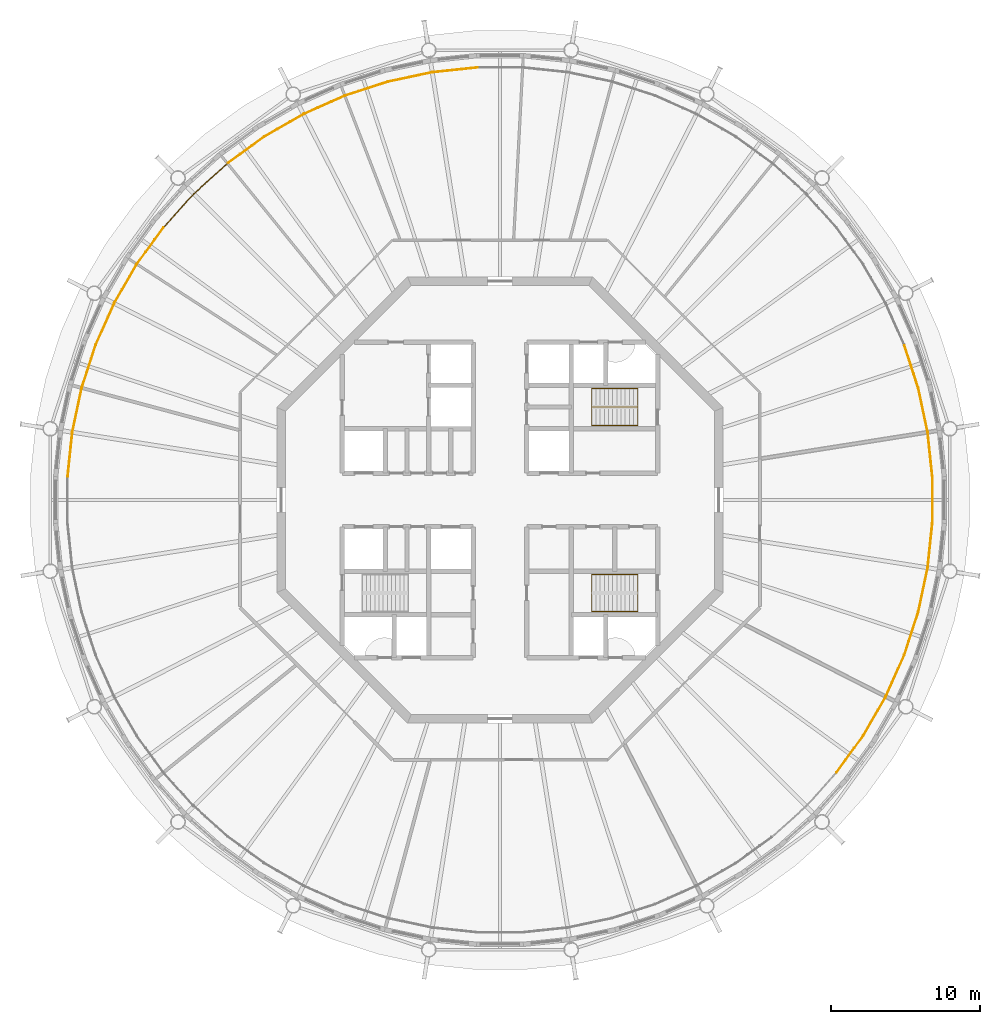
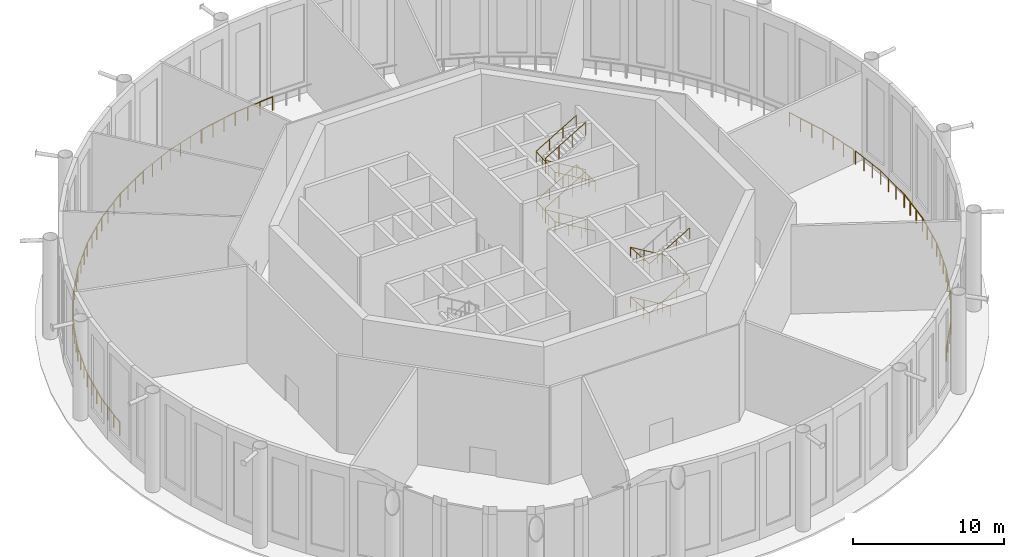
# One storey, part 16 of 17: 15 railings.
"""IFC4 building model written with IfcOpenShell, lengths in metres."""

from ifc_helpers import new_model, si_unit, direction, frame, origin, origin_2d, place, context, subcontext, project, spatial, circle, extrude, material, type_object, element, save


model = new_model("IFC4")

# Units and contexts
model_context = context("Model", 3, precision=1e-05, world=origin(), true_north=direction((0.0, 1.0)))
body_context = subcontext(model_context, "Body", "Model", "MODEL_VIEW")
ifc_project = project(units=[si_unit("LENGTHUNIT", "METRE"), si_unit("AREAUNIT", "SQUARE_METRE"), si_unit("VOLUMEUNIT", "CUBIC_METRE"), si_unit("PLANEANGLEUNIT", "RADIAN"), si_unit("MASSUNIT", "GRAM", prefix="KILO")], contexts=[model_context])

# Site, building, storey
site_placement = place(None, origin())
site = spatial("IfcSite", under=ifc_project, at=site_placement, CompositionType="ELEMENT")
building_placement = place(site_placement, origin())
building = spatial("IfcBuilding", under=site, at=building_placement, Name="Entoto Ring Tower", CompositionType="ELEMENT")
storey_placement = place(building_placement, frame((0.0, 0.0, 407.0)))
storey = spatial("IfcBuildingStorey", under=building, at=storey_placement, Name="L93", CompositionType="ELEMENT", Elevation=407.0)

# Railings
ifc_material_1 = material(Name="Stainless steel 316", Category="steel")
railing_type_1 = type_object("IfcRailingType", Name="Guard 1100 mm steel balustrade, observation floor", PredefinedType="GUARDRAIL", material=ifc_material_1)
railing_1_placement = place(storey_placement, frame((118.74169921875, 84.55224609375, 0.0)))
element("IfcRailing", 1, at=railing_1_placement, inside=storey, type_object=railing_type_1, Name="OBSERVATION FLOOR GUARD 1", PredefinedType="GUARDRAIL", context=body_context, shape_type="SweptSolid", body=[
    extrude(circle(Radius=0.02490234375, at=origin_2d()), frame((0.0, 0.0, 1.0751953125), z_axis=(-0.207908602045, 0.978148257268, 0.0), x_axis=(-0.978148257268, -0.207908602045, 0.0)), (0.0, 0.0, 1.0), 3.046142578125),
    extrude(circle(Radius=0.02490234375, at=origin_2d()), frame((-0.63330078125, 2.9794921875, 1.0751953125), z_axis=(-0.309006566809, 0.951059904354, 0.0), x_axis=(-0.951059904354, -0.309006566809, 0.0)), (0.0, 0.0, 1.0), 2.98583984375),
    extrude(circle(Radius=0.02490234375, at=origin_2d()), origin(), (0.0, 0.0, 1.0), 1.050048828125),
    extrude(circle(Radius=0.02490234375, at=origin_2d()), frame((-0.211181640625, 0.9931640625, 0.0)), (0.0, 0.0, 1.0), 1.050048828125),
    extrude(circle(Radius=0.02490234375, at=origin_2d()), frame((-0.422119140625, 1.986328125, 0.0)), (0.0, 0.0, 1.0), 1.050048828125),
    extrude(circle(Radius=0.02490234375, at=origin_2d()), frame((-0.63330078125, 2.9794921875, 0.0)), (0.0, 0.0, 1.0), 1.050048828125),
    extrude(circle(Radius=0.02490234375, at=origin_2d()), frame((-0.94091796875, 3.926025390625, 0.0)), (0.0, 0.0, 1.0), 1.050048828125),
    extrude(circle(Radius=0.02490234375, at=origin_2d()), frame((-1.248291015625, 4.87255859375, 0.0)), (0.0, 0.0, 1.0), 1.050048828125),
    extrude(circle(Radius=0.02490234375, at=origin_2d()), frame((-1.555908203125, 5.819091796875, 0.0)), (0.0, 0.0, 1.0), 1.050048828125),
])
railing_2_placement = place(storey_placement, frame((88.47705078125, 109.06005859375, 0.0)))
element("IfcRailing", 2, at=railing_2_placement, inside=storey, type_object=railing_type_1, Name="OBSERVATION FLOOR GUARD 8", PredefinedType="GUARDRAIL", context=body_context, shape_type="SweptSolid", body=[
    extrude(circle(Radius=0.02490234375, at=origin_2d()), frame((0.0, 0.0, 1.0751953125), z_axis=(-0.994523006427, -0.104517891713, 0.0), x_axis=(0.104517891713, -0.994523006427, 0.0)), (0.0, 0.0, 1.0), 3.0458984375),
    extrude(circle(Radius=0.02490234375, at=origin_2d()), frame((-3.029296875, -0.318359375, 1.0751953125), z_axis=(-0.978144510222, -0.20792623, 0.0), x_axis=(0.20792623, -0.978144510222, 0.0)), (0.0, 0.0, 1.0), 2.98583984375),
    extrude(circle(Radius=0.02490234375, at=origin_2d()), origin(), (0.0, 0.0, 1.0), 1.050048828125),
    extrude(circle(Radius=0.02490234375, at=origin_2d()), frame((-1.009765625, -0.106201171875, 0.0)), (0.0, 0.0, 1.0), 1.050048828125),
    extrude(circle(Radius=0.02490234375, at=origin_2d()), frame((-2.01953125, -0.212158203125, 0.0)), (0.0, 0.0, 1.0), 1.050048828125),
    extrude(circle(Radius=0.02490234375, at=origin_2d()), frame((-3.029296875, -0.318359375, 0.0)), (0.0, 0.0, 1.0), 1.050048828125),
    extrude(circle(Radius=0.02490234375, at=origin_2d()), frame((-4.0029296875, -0.525390625, 0.0)), (0.0, 0.0, 1.0), 1.050048828125),
    extrude(circle(Radius=0.02490234375, at=origin_2d()), frame((-4.976318359375, -0.732177734375, 0.0)), (0.0, 0.0, 1.0), 1.050048828125),
    extrude(circle(Radius=0.02490234375, at=origin_2d()), frame((-5.949951171875, -0.939208984375, 0.0)), (0.0, 0.0, 1.0), 1.050048828125),
])
railing_3_placement = place(storey_placement, frame((82.46826171875, 108.1083984375, 0.0)))
element("IfcRailing", 3, at=railing_3_placement, inside=storey, type_object=railing_type_1, Name="OBSERVATION FLOOR GUARD 9", PredefinedType="GUARDRAIL", context=body_context, shape_type="SweptSolid", body=[
    extrude(circle(Radius=0.02490234375, at=origin_2d()), frame((0.0, 0.0, 1.0751953125), z_axis=(-0.951060572715, -0.309004509719, 0.0), x_axis=(0.309004509719, -0.951060572715, 0.0)), (0.0, 0.0, 1.0), 3.0458984375),
    extrude(circle(Radius=0.02490234375, at=origin_2d()), frame((-2.896728515625, -0.941162109375, 1.0751953125), z_axis=(-0.913531485068, -0.406768024542, 0.0), x_axis=(0.406768024542, -0.913531485068, 0.0)), (0.0, 0.0, 1.0), 2.986083984375),
    extrude(circle(Radius=0.02490234375, at=origin_2d()), origin(), (0.0, 0.0, 1.0), 1.050048828125),
    extrude(circle(Radius=0.02490234375, at=origin_2d()), frame((-0.965576171875, -0.313720703125, 0.0)), (0.0, 0.0, 1.0), 1.050048828125),
    extrude(circle(Radius=0.02490234375, at=origin_2d()), frame((-1.93115234375, -0.62744140625, 0.0)), (0.0, 0.0, 1.0), 1.050048828125),
    extrude(circle(Radius=0.02490234375, at=origin_2d()), frame((-2.896728515625, -0.941162109375, 0.0)), (0.0, 0.0, 1.0), 1.050048828125),
    extrude(circle(Radius=0.02490234375, at=origin_2d()), frame((-3.805908203125, -1.345947265625, 0.0)), (0.0, 0.0, 1.0), 1.050048828125),
    extrude(circle(Radius=0.02490234375, at=origin_2d()), frame((-4.71533203125, -1.7509765625, 0.0)), (0.0, 0.0, 1.0), 1.050048828125),
    extrude(circle(Radius=0.02490234375, at=origin_2d()), frame((-5.62451171875, -2.15576171875, 0.0)), (0.0, 0.0, 1.0), 1.050048828125),
])
railing_4_placement = place(storey_placement, frame((76.788818359375, 105.92822265625, 0.0)))
element("IfcRailing", 4, at=railing_4_placement, inside=storey, type_object=railing_type_1, Name="OBSERVATION FLOOR GUARD 10", PredefinedType="GUARDRAIL", context=body_context, shape_type="SweptSolid", body=[
    extrude(circle(Radius=0.02490234375, at=origin_2d()), frame((0.0, 0.0, 1.0751953125), z_axis=(-0.866014723935, -0.500018497585, 0.0), x_axis=(0.500018497585, -0.866014723935, 0.0)), (0.0, 0.0, 1.0), 3.0458984375),
    extrude(circle(Radius=0.02490234375, at=origin_2d()), frame((-2.6376953125, -1.52294921875, 1.0751953125), z_axis=(-0.809022371949, -0.587777850626, 0.0), x_axis=(0.587777850626, -0.809022371949, 0.0)), (0.0, 0.0, 1.0), 2.986083984375),
    extrude(circle(Radius=0.02490234375, at=origin_2d()), origin(), (0.0, 0.0, 1.0), 1.050048828125),
    extrude(circle(Radius=0.02490234375, at=origin_2d()), frame((-0.879150390625, -0.507568359375, 0.0)), (0.0, 0.0, 1.0), 1.050048828125),
    extrude(circle(Radius=0.02490234375, at=origin_2d()), frame((-1.758544921875, -1.015380859375, 0.0)), (0.0, 0.0, 1.0), 1.050048828125),
    extrude(circle(Radius=0.02490234375, at=origin_2d()), frame((-2.6376953125, -1.52294921875, 0.0)), (0.0, 0.0, 1.0), 1.050048828125),
    extrude(circle(Radius=0.02490234375, at=origin_2d()), frame((-3.44287109375, -2.10791015625, 0.0)), (0.0, 0.0, 1.0), 1.050048828125),
    extrude(circle(Radius=0.02490234375, at=origin_2d()), frame((-4.248291015625, -2.693115234375, 0.0)), (0.0, 0.0, 1.0), 1.050048828125),
    extrude(circle(Radius=0.02490234375, at=origin_2d()), frame((-5.053466796875, -3.278076171875, 0.0)), (0.0, 0.0, 1.0), 1.050048828125),
])
railing_5_placement = place(storey_placement, frame((71.686767578125, 102.614990234375, 0.0)))
element("IfcRailing", 5, at=railing_5_placement, inside=storey, type_object=railing_type_1, Name="OBSERVATION FLOOR GUARD 11", PredefinedType="GUARDRAIL", context=body_context, shape_type="SweptSolid", body=[
    extrude(circle(Radius=0.02490234375, at=origin_2d()), frame((0.0, 0.0, 1.0751953125), z_axis=(-0.743166598537, -0.669106424135, 0.0), x_axis=(0.669106424135, -0.743166598537, 0.0)), (0.0, 0.0, 1.0), 3.0458984375),
    extrude(circle(Radius=0.02490234375, at=origin_2d()), frame((-2.263671875, -2.0380859375, 1.0751953125), z_axis=(-0.669095728421, -0.743176228232, 0.0), x_axis=(0.743176228232, -0.669095728421, 0.0)), (0.0, 0.0, 1.0), 2.98583984375),
    extrude(circle(Radius=0.02490234375, at=origin_2d()), origin(), (0.0, 0.0, 1.0), 1.050048828125),
    extrude(circle(Radius=0.02490234375, at=origin_2d()), frame((-0.754638671875, -0.679443359375, 0.0)), (0.0, 0.0, 1.0), 1.050048828125),
    extrude(circle(Radius=0.02490234375, at=origin_2d()), frame((-1.509033203125, -1.358642578125, 0.0)), (0.0, 0.0, 1.0), 1.050048828125),
    extrude(circle(Radius=0.02490234375, at=origin_2d()), frame((-2.263671875, -2.0380859375, 0.0)), (0.0, 0.0, 1.0), 1.050048828125),
    extrude(circle(Radius=0.02490234375, at=origin_2d()), frame((-2.9296875, -2.77783203125, 0.0)), (0.0, 0.0, 1.0), 1.050048828125),
    extrude(circle(Radius=0.02490234375, at=origin_2d()), frame((-3.595458984375, -3.517333984375, 0.0)), (0.0, 0.0, 1.0), 1.050048828125),
    extrude(circle(Radius=0.02490234375, at=origin_2d()), frame((-4.261474609375, -4.257080078125, 0.0)), (0.0, 0.0, 1.0), 1.050048828125),
])
railing_6_placement = place(storey_placement, frame((67.385009765625, 98.313232421875, 0.0)))
element("IfcRailing", 6, at=railing_6_placement, inside=storey, type_object=railing_type_1, Name="OBSERVATION FLOOR GUARD 12", PredefinedType="GUARDRAIL", context=body_context, shape_type="SweptSolid", body=[
    extrude(circle(Radius=0.02490234375, at=origin_2d()), frame((0.0, 0.0, 1.0751953125), z_axis=(-0.587747466225, -0.809044446212, 0.0), x_axis=(0.809044446212, -0.587747466225, 0.0)), (0.0, 0.0, 1.0), 3.0458984375),
    extrude(circle(Radius=0.02490234375, at=origin_2d()), frame((-1.790283203125, -2.46435546875, 1.0751953125), z_axis=(-0.500017373705, -0.866015372839, 0.0), x_axis=(0.866015372839, -0.500017373705, 0.0)), (0.0, 0.0, 1.0), 2.98583984375),
    extrude(circle(Radius=0.02490234375, at=origin_2d()), origin(), (0.0, 0.0, 1.0), 1.050048828125),
    extrude(circle(Radius=0.02490234375, at=origin_2d()), frame((-0.5966796875, -0.821533203125, 0.0)), (0.0, 0.0, 1.0), 1.050048828125),
    extrude(circle(Radius=0.02490234375, at=origin_2d()), frame((-1.193603515625, -1.642822265625, 0.0)), (0.0, 0.0, 1.0), 1.050048828125),
    extrude(circle(Radius=0.02490234375, at=origin_2d()), frame((-1.790283203125, -2.46435546875, 0.0)), (0.0, 0.0, 1.0), 1.050048828125),
    extrude(circle(Radius=0.02490234375, at=origin_2d()), frame((-2.287841796875, -3.326171875, 0.0)), (0.0, 0.0, 1.0), 1.050048828125),
    extrude(circle(Radius=0.02490234375, at=origin_2d()), frame((-2.78564453125, -4.188232421875, 0.0)), (0.0, 0.0, 1.0), 1.050048828125),
    extrude(circle(Radius=0.02490234375, at=origin_2d()), frame((-3.283203125, -5.050048828125, 0.0)), (0.0, 0.0, 1.0), 1.050048828125),
])
railing_7_placement = place(storey_placement, frame((64.07177734375, 93.211181640625, 0.0)))
element("IfcRailing", 7, at=railing_7_placement, inside=storey, type_object=railing_type_1, Name="OBSERVATION FLOOR GUARD 13", PredefinedType="GUARDRAIL", context=body_context, shape_type="SweptSolid", body=[
    extrude(circle(Radius=0.02490234375, at=origin_2d()), frame((0.0, 0.0, 1.0751953125), z_axis=(-0.406755602467, -0.913537016142, 0.0), x_axis=(0.913537016142, -0.406755602467, 0.0)), (0.0, 0.0, 1.0), 3.046142578125),
    extrude(circle(Radius=0.02490234375, at=origin_2d()), frame((-1.239013671875, -2.78271484375, 1.0751953125), z_axis=(-0.30898253788, -0.951067711199, 0.0), x_axis=(0.951067711199, -0.30898253788, 0.0)), (0.0, 0.0, 1.0), 2.98583984375),
    extrude(circle(Radius=0.02490234375, at=origin_2d()), origin(), (0.0, 0.0, 1.0), 1.050048828125),
    extrude(circle(Radius=0.02490234375, at=origin_2d()), frame((-0.4130859375, -0.927490234375, 0.0)), (0.0, 0.0, 1.0), 1.050048828125),
    extrude(circle(Radius=0.02490234375, at=origin_2d()), frame((-0.825927734375, -1.855224609375, 0.0)), (0.0, 0.0, 1.0), 1.050048828125),
    extrude(circle(Radius=0.02490234375, at=origin_2d()), frame((-1.239013671875, -2.78271484375, 0.0)), (0.0, 0.0, 1.0), 1.050048828125),
    extrude(circle(Radius=0.02490234375, at=origin_2d()), frame((-1.546630859375, -3.729248046875, 0.0)), (0.0, 0.0, 1.0), 1.050048828125),
    extrude(circle(Radius=0.02490234375, at=origin_2d()), frame((-1.85400390625, -4.676025390625, 0.0)), (0.0, 0.0, 1.0), 1.050048828125),
    extrude(circle(Radius=0.02490234375, at=origin_2d()), frame((-2.16162109375, -5.62255859375, 0.0)), (0.0, 0.0, 1.0), 1.050048828125),
])
railing_8_placement = place(storey_placement, frame((61.8916015625, 87.53173828125, 0.0)))
element("IfcRailing", 8, at=railing_8_placement, inside=storey, type_object=railing_type_1, Name="OBSERVATION FLOOR GUARD 14", PredefinedType="GUARDRAIL", context=body_context, shape_type="SweptSolid", body=[
    extrude(circle(Radius=0.02490234375, at=origin_2d()), frame((0.0, 0.0, 1.0751953125), z_axis=(-0.207908602045, -0.978148257268, 0.0), x_axis=(0.978148257268, -0.207908602045, 0.0)), (0.0, 0.0, 1.0), 3.046142578125),
    extrude(circle(Radius=0.02490234375, at=origin_2d()), frame((-0.63330078125, -2.9794921875, 1.0751953125), z_axis=(-0.104578376454, -0.994516648015, 0.0), x_axis=(0.994516648015, -0.104578376454, 0.0)), (0.0, 0.0, 1.0), 2.98583984375),
    extrude(circle(Radius=0.02490234375, at=origin_2d()), origin(), (0.0, 0.0, 1.0), 1.050048828125),
    extrude(circle(Radius=0.02490234375, at=origin_2d()), frame((-0.211181640625, -0.9931640625, 0.0)), (0.0, 0.0, 1.0), 1.050048828125),
    extrude(circle(Radius=0.02490234375, at=origin_2d()), frame((-0.422119140625, -1.986328125, 0.0)), (0.0, 0.0, 1.0), 1.050048828125),
    extrude(circle(Radius=0.02490234375, at=origin_2d()), frame((-0.63330078125, -2.9794921875, 0.0)), (0.0, 0.0, 1.0), 1.050048828125),
    extrude(circle(Radius=0.02490234375, at=origin_2d()), frame((-0.7373046875, -3.96923828125, 0.0)), (0.0, 0.0, 1.0), 1.050048828125),
    extrude(circle(Radius=0.02490234375, at=origin_2d()), frame((-0.841552734375, -4.959228515625, 0.0)), (0.0, 0.0, 1.0), 1.050048828125),
    extrude(circle(Radius=0.02490234375, at=origin_2d()), frame((-0.945556640625, -5.948974609375, 0.0)), (0.0, 0.0, 1.0), 1.050048828125),
])
railing_9_placement = place(storey_placement, frame((112.614990234375, 61.686767578125, 0.0)))
element("IfcRailing", 9, at=railing_9_placement, inside=storey, type_object=railing_type_1, Name="OBSERVATION FLOOR GUARD 27", PredefinedType="GUARDRAIL", context=body_context, shape_type="SweptSolid", body=[
    extrude(circle(Radius=0.02490234375, at=origin_2d()), frame((0.0, 0.0, 1.0751953125), z_axis=(0.587747466225, 0.809044446212, 0.0), x_axis=(-0.809044446212, 0.587747466225, 0.0)), (0.0, 0.0, 1.0), 3.0458984375),
    extrude(circle(Radius=0.02490234375, at=origin_2d()), frame((1.790283203125, 2.46435546875, 1.0751953125), z_axis=(0.500017373705, 0.866015372839, 0.0), x_axis=(-0.866015372839, 0.500017373705, 0.0)), (0.0, 0.0, 1.0), 2.98583984375),
    extrude(circle(Radius=0.02490234375, at=origin_2d()), origin(), (0.0, 0.0, 1.0), 1.050048828125),
    extrude(circle(Radius=0.02490234375, at=origin_2d()), frame((0.5966796875, 0.821533203125, 0.0)), (0.0, 0.0, 1.0), 1.050048828125),
    extrude(circle(Radius=0.02490234375, at=origin_2d()), frame((1.193603515625, 1.642822265625, 0.0)), (0.0, 0.0, 1.0), 1.050048828125),
    extrude(circle(Radius=0.02490234375, at=origin_2d()), frame((1.790283203125, 2.46435546875, 0.0)), (0.0, 0.0, 1.0), 1.050048828125),
    extrude(circle(Radius=0.02490234375, at=origin_2d()), frame((2.287841796875, 3.326171875, 0.0)), (0.0, 0.0, 1.0), 1.050048828125),
    extrude(circle(Radius=0.02490234375, at=origin_2d()), frame((2.78564453125, 4.188232421875, 0.0)), (0.0, 0.0, 1.0), 1.050048828125),
    extrude(circle(Radius=0.02490234375, at=origin_2d()), frame((3.283203125, 5.050048828125, 0.0)), (0.0, 0.0, 1.0), 1.050048828125),
])
railing_10_placement = place(storey_placement, frame((115.92822265625, 66.788818359375, 0.0)))
element("IfcRailing", 10, at=railing_10_placement, inside=storey, type_object=railing_type_1, Name="OBSERVATION FLOOR GUARD 28", PredefinedType="GUARDRAIL", context=body_context, shape_type="SweptSolid", body=[
    extrude(circle(Radius=0.02490234375, at=origin_2d()), frame((0.0, 0.0, 1.0751953125), z_axis=(0.406755602467, 0.913537016142, 0.0), x_axis=(-0.913537016142, 0.406755602467, 0.0)), (0.0, 0.0, 1.0), 3.046142578125),
    extrude(circle(Radius=0.02490234375, at=origin_2d()), frame((1.239013671875, 2.78271484375, 1.0751953125), z_axis=(0.30898253788, 0.951067711199, 0.0), x_axis=(-0.951067711199, 0.30898253788, 0.0)), (0.0, 0.0, 1.0), 2.98583984375),
    extrude(circle(Radius=0.02490234375, at=origin_2d()), origin(), (0.0, 0.0, 1.0), 1.050048828125),
    extrude(circle(Radius=0.02490234375, at=origin_2d()), frame((0.4130859375, 0.927490234375, 0.0)), (0.0, 0.0, 1.0), 1.050048828125),
    extrude(circle(Radius=0.02490234375, at=origin_2d()), frame((0.825927734375, 1.855224609375, 0.0)), (0.0, 0.0, 1.0), 1.050048828125),
    extrude(circle(Radius=0.02490234375, at=origin_2d()), frame((1.239013671875, 2.78271484375, 0.0)), (0.0, 0.0, 1.0), 1.050048828125),
    extrude(circle(Radius=0.02490234375, at=origin_2d()), frame((1.546630859375, 3.729248046875, 0.0)), (0.0, 0.0, 1.0), 1.050048828125),
    extrude(circle(Radius=0.02490234375, at=origin_2d()), frame((1.85400390625, 4.676025390625, 0.0)), (0.0, 0.0, 1.0), 1.050048828125),
    extrude(circle(Radius=0.02490234375, at=origin_2d()), frame((2.16162109375, 5.62255859375, 0.0)), (0.0, 0.0, 1.0), 1.050048828125),
])
railing_11_placement = place(storey_placement, frame((118.1083984375, 72.46826171875, 0.0)))
element("IfcRailing", 11, at=railing_11_placement, inside=storey, type_object=railing_type_1, Name="OBSERVATION FLOOR GUARD 29", PredefinedType="GUARDRAIL", context=body_context, shape_type="SweptSolid", body=[
    extrude(circle(Radius=0.02490234375, at=origin_2d()), frame((0.0, 0.0, 1.0751953125), z_axis=(0.207908602045, 0.978148257268, 0.0), x_axis=(-0.978148257268, 0.207908602045, 0.0)), (0.0, 0.0, 1.0), 3.046142578125),
    extrude(circle(Radius=0.02490234375, at=origin_2d()), frame((0.63330078125, 2.9794921875, 1.0751953125), z_axis=(0.104578376454, 0.994516648015, 0.0), x_axis=(-0.994516648015, 0.104578376454, 0.0)), (0.0, 0.0, 1.0), 2.98583984375),
    extrude(circle(Radius=0.02490234375, at=origin_2d()), origin(), (0.0, 0.0, 1.0), 1.050048828125),
    extrude(circle(Radius=0.02490234375, at=origin_2d()), frame((0.211181640625, 0.9931640625, 0.0)), (0.0, 0.0, 1.0), 1.050048828125),
    extrude(circle(Radius=0.02490234375, at=origin_2d()), frame((0.422119140625, 1.986328125, 0.0)), (0.0, 0.0, 1.0), 1.050048828125),
    extrude(circle(Radius=0.02490234375, at=origin_2d()), frame((0.63330078125, 2.9794921875, 0.0)), (0.0, 0.0, 1.0), 1.050048828125),
    extrude(circle(Radius=0.02490234375, at=origin_2d()), frame((0.7373046875, 3.96923828125, 0.0)), (0.0, 0.0, 1.0), 1.050048828125),
    extrude(circle(Radius=0.02490234375, at=origin_2d()), frame((0.841552734375, 4.959228515625, 0.0)), (0.0, 0.0, 1.0), 1.050048828125),
    extrude(circle(Radius=0.02490234375, at=origin_2d()), frame((0.945556640625, 5.948974609375, 0.0)), (0.0, 0.0, 1.0), 1.050048828125),
])
railing_12_placement = place(storey_placement, frame((119.06005859375, 78.47705078125, 0.0)))
element("IfcRailing", 12, at=railing_12_placement, inside=storey, type_object=railing_type_1, Name="OBSERVATION FLOOR GUARD 30", PredefinedType="GUARDRAIL", context=body_context, shape_type="SweptSolid", body=[
    extrude(circle(Radius=0.02490234375, at=origin_2d()), frame((0.0, 0.0, 1.0751953125), z_axis=(0.0, 1.0, 0.0), x_axis=(-1.0, 0.0, 0.0)), (0.0, 0.0, 1.0), 3.0458984375),
    extrude(circle(Radius=0.02490234375, at=origin_2d()), frame((0.0, 3.0458984375, 1.0751953125), z_axis=(-0.104488295499, 0.994526116351, 0.0), x_axis=(-0.994526116351, -0.104488295499, 0.0)), (0.0, 0.0, 1.0), 2.845947265625),
    extrude(circle(Radius=0.02490234375, at=origin_2d()), origin(), (0.0, 0.0, 1.0), 1.050048828125),
    extrude(circle(Radius=0.02490234375, at=origin_2d()), frame((0.0, 1.015380859375, 0.0)), (0.0, 0.0, 1.0), 1.050048828125),
    extrude(circle(Radius=0.02490234375, at=origin_2d()), frame((0.0, 2.030517578125, 0.0)), (0.0, 0.0, 1.0), 1.050048828125),
    extrude(circle(Radius=0.02490234375, at=origin_2d()), frame((0.0, 3.0458984375, 0.0)), (0.0, 0.0, 1.0), 1.050048828125),
    extrude(circle(Radius=0.02490234375, at=origin_2d()), frame((-0.09912109375, 3.9892578125, 0.0)), (0.0, 0.0, 1.0), 1.050048828125),
    extrude(circle(Radius=0.02490234375, at=origin_2d()), frame((-0.1982421875, 4.932861328125, 0.0)), (0.0, 0.0, 1.0), 1.050048828125),
    extrude(circle(Radius=0.02490234375, at=origin_2d()), frame((-0.29736328125, 5.876220703125, 0.0)), (0.0, 0.0, 1.0), 1.050048828125),
])
ifc_material_2 = material(Name="Steel S275", Category="steel")
railing_type_2 = type_object("IfcRailingType", Name="Stair guard 1100 mm steel", PredefinedType="GUARDRAIL", material=ifc_material_2)
railing_13_placement = place(storey_placement, frame((99.25, 86.25, 0.166748046875)))
element("IfcRailing", 13, at=railing_13_placement, inside=storey, type_object=railing_type_2, Name="Guard ST1", PredefinedType="GUARDRAIL", context=body_context, shape_type="SweptSolid", body=[
    extrude(circle(Radius=0.02392578125, at=origin_2d()), frame((0.0, 0.0, 1.076171875), z_axis=(-0.859308565015, 0.0, 0.511457515432), x_axis=(0.0, -1.0, 0.0)), (0.0, 0.0, 1.0), 3.58447265625),
    extrude(circle(Radius=0.02392578125, at=origin_2d()), frame((-3.080078125, 0.0, 2.9091796875), z_axis=(0.0, 0.0, 1.0), x_axis=(1.0, 0.0, 0.0)), (0.0, 0.0, 1.0), 0.166748046875),
    extrude(circle(Radius=0.02392578125, at=origin_2d()), frame((-3.080078125, 0.0, 3.076171875), z_axis=(0.859308565015, 0.0, 0.511457515432), x_axis=(0.0, 1.0, 0.0)), (0.0, 0.0, 1.0), 3.58447265625),
    extrude(circle(Radius=0.02392578125, at=origin_2d()), frame((0.0, 0.0, 4.9091796875), z_axis=(0.0, 0.0, 1.0), x_axis=(1.0, 0.0, 0.0)), (0.0, 0.0, 1.0), 0.166748046875),
    extrude(circle(Radius=0.02392578125, at=origin_2d()), frame((0.0, 0.0, 5.076171875), z_axis=(-0.859308565015, 0.0, 0.511457515432), x_axis=(0.0, -1.0, 0.0)), (0.0, 0.0, 1.0), 3.58447265625),
    extrude(circle(Radius=0.02392578125, at=origin_2d()), frame((-3.080078125, 0.0, 6.9091796875), z_axis=(0.0, 0.0, 1.0), x_axis=(1.0, 0.0, 0.0)), (0.0, 0.0, 1.0), 0.166748046875),
    extrude(circle(Radius=0.02392578125, at=origin_2d()), frame((-3.080078125, 0.0, 7.076171875), z_axis=(0.859308565015, 0.0, 0.511457515432), x_axis=(0.0, 1.0, 0.0)), (0.0, 0.0, 1.0), 3.58447265625),
    extrude(circle(Radius=0.02099609375, at=origin_2d()), origin(), (0.0, 0.0, 1.0), 1.052001953125),
    extrude(circle(Radius=0.02099609375, at=origin_2d()), frame((-1.026611328125, 0.0, 0.611083984375)), (0.0, 0.0, 1.0), 1.052001953125),
    extrude(circle(Radius=0.02099609375, at=origin_2d()), frame((-2.053466796875, 0.0, 1.22216796875)), (0.0, 0.0, 1.0), 1.052001953125),
    extrude(circle(Radius=0.02099609375, at=origin_2d()), frame((-3.080078125, 0.0, 1.833251953125)), (0.0, 0.0, 1.0), 1.052001953125),
    extrude(circle(Radius=0.02099609375, at=origin_2d()), frame((-3.080078125, 0.0, 2.0)), (0.0, 0.0, 1.0), 1.052001953125),
    extrude(circle(Radius=0.02099609375, at=origin_2d()), frame((-2.053466796875, 0.0, 2.611083984375)), (0.0, 0.0, 1.0), 1.052001953125),
    extrude(circle(Radius=0.02099609375, at=origin_2d()), frame((-1.026611328125, 0.0, 3.22216796875)), (0.0, 0.0, 1.0), 1.052001953125),
    extrude(circle(Radius=0.02099609375, at=origin_2d()), frame((0.0, 0.0, 3.833251953125)), (0.0, 0.0, 1.0), 1.052001953125),
    extrude(circle(Radius=0.02099609375, at=origin_2d()), frame((0.0, 0.0, 4.0)), (0.0, 0.0, 1.0), 1.052001953125),
    extrude(circle(Radius=0.02099609375, at=origin_2d()), frame((-1.026611328125, 0.0, 4.611083984375)), (0.0, 0.0, 1.0), 1.052001953125),
    extrude(circle(Radius=0.02099609375, at=origin_2d()), frame((-2.053466796875, 0.0, 5.22216796875)), (0.0, 0.0, 1.0), 1.052001953125),
    extrude(circle(Radius=0.02099609375, at=origin_2d()), frame((-3.080078125, 0.0, 5.833251953125)), (0.0, 0.0, 1.0), 1.052001953125),
    extrude(circle(Radius=0.02099609375, at=origin_2d()), frame((-3.080078125, 0.0, 6.0)), (0.0, 0.0, 1.0), 1.052001953125),
    extrude(circle(Radius=0.02099609375, at=origin_2d()), frame((-2.053466796875, 0.0, 6.611083984375)), (0.0, 0.0, 1.0), 1.052001953125),
    extrude(circle(Radius=0.02099609375, at=origin_2d()), frame((-1.026611328125, 0.0, 7.22216796875)), (0.0, 0.0, 1.0), 1.052001953125),
    extrude(circle(Radius=0.02099609375, at=origin_2d()), frame((0.0, 0.0, 7.833251953125)), (0.0, 0.0, 1.0), 1.052001953125),
])
ifc_material_3 = material(Name="Steel S275", Category="steel")
railing_type_3 = type_object("IfcRailingType", Name="Stair handrail 900 mm steel", PredefinedType="HANDRAIL", material=ifc_material_3)
railing_14_placement = place(storey_placement, frame((99.25, 85.0, 0.166748046875)))
element("IfcRailing", 14, at=railing_14_placement, inside=storey, type_object=railing_type_3, Name="Handrail ST1", PredefinedType="HANDRAIL", context=body_context, shape_type="SweptSolid", body=[
    extrude(circle(Radius=0.02392578125, at=origin_2d()), frame((0.0, 0.0, 0.8759765625), z_axis=(-0.859308565015, 0.0, 0.511457515432), x_axis=(0.0, -1.0, 0.0)), (0.0, 0.0, 1.0), 3.58447265625),
    extrude(circle(Radius=0.02392578125, at=origin_2d()), frame((-3.080078125, 0.0, 2.708984375), z_axis=(0.0, 0.997783001586, 0.066551346688), x_axis=(-1.0, 0.0, 0.0)), (0.0, 0.0, 1.0), 2.505615234375),
    extrude(circle(Radius=0.02392578125, at=origin_2d()), frame((-3.080078125, 2.5, 2.8759765625), z_axis=(0.859308565015, 0.0, 0.511457515432), x_axis=(0.0, 1.0, 0.0)), (0.0, 0.0, 1.0), 3.58447265625),
    extrude(circle(Radius=0.02392578125, at=origin_2d()), frame((0.0, 2.5, 4.708984375), z_axis=(0.0, -0.997783001586, 0.066551346688), x_axis=(1.0, 0.0, 0.0)), (0.0, 0.0, 1.0), 2.505615234375),
    extrude(circle(Radius=0.02392578125, at=origin_2d()), frame((0.0, 0.0, 4.8759765625), z_axis=(-0.859308565015, 0.0, 0.511457515432), x_axis=(0.0, -1.0, 0.0)), (0.0, 0.0, 1.0), 3.58447265625),
    extrude(circle(Radius=0.02392578125, at=origin_2d()), frame((-3.080078125, 0.0, 6.708984375), z_axis=(0.0, 0.997783001586, 0.066551346688), x_axis=(-1.0, 0.0, 0.0)), (0.0, 0.0, 1.0), 2.505615234375),
    extrude(circle(Radius=0.02392578125, at=origin_2d()), frame((-3.080078125, 2.5, 6.8759765625), z_axis=(0.859308565015, 0.0, 0.511457515432), x_axis=(0.0, 1.0, 0.0)), (0.0, 0.0, 1.0), 3.58447265625),
    extrude(circle(Radius=0.02099609375, at=origin_2d()), origin(), (0.0, 0.0, 1.0), 0.851806640625),
    extrude(circle(Radius=0.02099609375, at=origin_2d()), frame((-1.026611328125, 0.0, 0.611083984375)), (0.0, 0.0, 1.0), 0.851806640625),
    extrude(circle(Radius=0.02099609375, at=origin_2d()), frame((-2.053466796875, 0.0, 1.22216796875)), (0.0, 0.0, 1.0), 0.851806640625),
    extrude(circle(Radius=0.02099609375, at=origin_2d()), frame((-3.080078125, 0.0, 1.833251953125)), (0.0, 0.0, 1.0), 0.851806640625),
    extrude(circle(Radius=0.02099609375, at=origin_2d()), frame((-3.080078125, 0.833251953125, 1.888916015625)), (0.0, 0.0, 1.0), 0.851806640625),
    extrude(circle(Radius=0.02099609375, at=origin_2d()), frame((-3.080078125, 1.666748046875, 1.9443359375)), (0.0, 0.0, 1.0), 0.851806640625),
    extrude(circle(Radius=0.02099609375, at=origin_2d()), frame((-3.080078125, 2.5, 2.0)), (0.0, 0.0, 1.0), 0.851806640625),
    extrude(circle(Radius=0.02099609375, at=origin_2d()), frame((-2.053466796875, 2.5, 2.611083984375)), (0.0, 0.0, 1.0), 0.851806640625),
    extrude(circle(Radius=0.02099609375, at=origin_2d()), frame((-1.026611328125, 2.5, 3.22216796875)), (0.0, 0.0, 1.0), 0.851806640625),
    extrude(circle(Radius=0.02099609375, at=origin_2d()), frame((0.0, 2.5, 3.833251953125)), (0.0, 0.0, 1.0), 0.851806640625),
    extrude(circle(Radius=0.02099609375, at=origin_2d()), frame((0.0, 1.666748046875, 3.888916015625)), (0.0, 0.0, 1.0), 0.851806640625),
    extrude(circle(Radius=0.02099609375, at=origin_2d()), frame((0.0, 0.833251953125, 3.9443359375)), (0.0, 0.0, 1.0), 0.851806640625),
    extrude(circle(Radius=0.02099609375, at=origin_2d()), frame((0.0, 0.0, 4.0)), (0.0, 0.0, 1.0), 0.851806640625),
    extrude(circle(Radius=0.02099609375, at=origin_2d()), frame((-1.026611328125, 0.0, 4.611083984375)), (0.0, 0.0, 1.0), 0.851806640625),
    extrude(circle(Radius=0.02099609375, at=origin_2d()), frame((-2.053466796875, 0.0, 5.22216796875)), (0.0, 0.0, 1.0), 0.851806640625),
    extrude(circle(Radius=0.02099609375, at=origin_2d()), frame((-3.080078125, 0.0, 5.833251953125)), (0.0, 0.0, 1.0), 0.851806640625),
    extrude(circle(Radius=0.02099609375, at=origin_2d()), frame((-3.080078125, 0.833251953125, 5.888916015625)), (0.0, 0.0, 1.0), 0.851806640625),
    extrude(circle(Radius=0.02099609375, at=origin_2d()), frame((-3.080078125, 1.666748046875, 5.9443359375)), (0.0, 0.0, 1.0), 0.851806640625),
    extrude(circle(Radius=0.02099609375, at=origin_2d()), frame((-3.080078125, 2.5, 6.0)), (0.0, 0.0, 1.0), 0.851806640625),
    extrude(circle(Radius=0.02099609375, at=origin_2d()), frame((-2.053466796875, 2.5, 6.611083984375)), (0.0, 0.0, 1.0), 0.851806640625),
    extrude(circle(Radius=0.02099609375, at=origin_2d()), frame((-1.026611328125, 2.5, 7.22216796875)), (0.0, 0.0, 1.0), 0.851806640625),
    extrude(circle(Radius=0.02099609375, at=origin_2d()), frame((0.0, 2.5, 7.833251953125)), (0.0, 0.0, 1.0), 0.851806640625),
])
railing_15_placement = place(storey_placement, frame((99.25, 75.0, 0.166748046875)))
element("IfcRailing", 15, at=railing_15_placement, inside=storey, type_object=railing_type_3, Name="Handrail ST3", PredefinedType="HANDRAIL", context=body_context, shape_type="SweptSolid", body=[
    extrude(circle(Radius=0.02392578125, at=origin_2d()), frame((0.0, 0.0, 0.8759765625), z_axis=(-0.859308565015, 0.0, 0.511457515432), x_axis=(0.0, -1.0, 0.0)), (0.0, 0.0, 1.0), 3.58447265625),
    extrude(circle(Radius=0.02392578125, at=origin_2d()), frame((-3.080078125, 0.0, 2.708984375), z_axis=(0.0, -0.997783001586, 0.066551346688), x_axis=(1.0, 0.0, 0.0)), (0.0, 0.0, 1.0), 2.505615234375),
    extrude(circle(Radius=0.02392578125, at=origin_2d()), frame((-3.080078125, -2.5, 2.8759765625), z_axis=(0.859308565015, 0.0, 0.511457515432), x_axis=(0.0, 1.0, 0.0)), (0.0, 0.0, 1.0), 3.58447265625),
    extrude(circle(Radius=0.02392578125, at=origin_2d()), frame((0.0, -2.5, 4.708984375), z_axis=(0.0, 0.997783001586, 0.066551346688), x_axis=(-1.0, 0.0, 0.0)), (0.0, 0.0, 1.0), 2.505615234375),
    extrude(circle(Radius=0.02392578125, at=origin_2d()), frame((0.0, 0.0, 4.8759765625), z_axis=(-0.859308565015, 0.0, 0.511457515432), x_axis=(0.0, -1.0, 0.0)), (0.0, 0.0, 1.0), 3.58447265625),
    extrude(circle(Radius=0.02392578125, at=origin_2d()), frame((-3.080078125, 0.0, 6.708984375), z_axis=(0.0, -0.997783001586, 0.066551346688), x_axis=(1.0, 0.0, 0.0)), (0.0, 0.0, 1.0), 2.505615234375),
    extrude(circle(Radius=0.02392578125, at=origin_2d()), frame((-3.080078125, -2.5, 6.8759765625), z_axis=(0.859308565015, 0.0, 0.511457515432), x_axis=(0.0, 1.0, 0.0)), (0.0, 0.0, 1.0), 3.58447265625),
    extrude(circle(Radius=0.02099609375, at=origin_2d()), origin(), (0.0, 0.0, 1.0), 0.851806640625),
    extrude(circle(Radius=0.02099609375, at=origin_2d()), frame((-1.026611328125, 0.0, 0.611083984375)), (0.0, 0.0, 1.0), 0.851806640625),
    extrude(circle(Radius=0.02099609375, at=origin_2d()), frame((-2.053466796875, 0.0, 1.22216796875)), (0.0, 0.0, 1.0), 0.851806640625),
    extrude(circle(Radius=0.02099609375, at=origin_2d()), frame((-3.080078125, 0.0, 1.833251953125)), (0.0, 0.0, 1.0), 0.851806640625),
    extrude(circle(Radius=0.02099609375, at=origin_2d()), frame((-3.080078125, -0.833251953125, 1.888916015625)), (0.0, 0.0, 1.0), 0.851806640625),
    extrude(circle(Radius=0.02099609375, at=origin_2d()), frame((-3.080078125, -1.666748046875, 1.9443359375)), (0.0, 0.0, 1.0), 0.851806640625),
    extrude(circle(Radius=0.02099609375, at=origin_2d()), frame((-3.080078125, -2.5, 2.0)), (0.0, 0.0, 1.0), 0.851806640625),
    extrude(circle(Radius=0.02099609375, at=origin_2d()), frame((-2.053466796875, -2.5, 2.611083984375)), (0.0, 0.0, 1.0), 0.851806640625),
    extrude(circle(Radius=0.02099609375, at=origin_2d()), frame((-1.026611328125, -2.5, 3.22216796875)), (0.0, 0.0, 1.0), 0.851806640625),
    extrude(circle(Radius=0.02099609375, at=origin_2d()), frame((0.0, -2.5, 3.833251953125)), (0.0, 0.0, 1.0), 0.851806640625),
    extrude(circle(Radius=0.02099609375, at=origin_2d()), frame((0.0, -1.666748046875, 3.888916015625)), (0.0, 0.0, 1.0), 0.851806640625),
    extrude(circle(Radius=0.02099609375, at=origin_2d()), frame((0.0, -0.833251953125, 3.9443359375)), (0.0, 0.0, 1.0), 0.851806640625),
    extrude(circle(Radius=0.02099609375, at=origin_2d()), frame((0.0, 0.0, 4.0)), (0.0, 0.0, 1.0), 0.851806640625),
    extrude(circle(Radius=0.02099609375, at=origin_2d()), frame((-1.026611328125, 0.0, 4.611083984375)), (0.0, 0.0, 1.0), 0.851806640625),
    extrude(circle(Radius=0.02099609375, at=origin_2d()), frame((-2.053466796875, 0.0, 5.22216796875)), (0.0, 0.0, 1.0), 0.851806640625),
    extrude(circle(Radius=0.02099609375, at=origin_2d()), frame((-3.080078125, 0.0, 5.833251953125)), (0.0, 0.0, 1.0), 0.851806640625),
    extrude(circle(Radius=0.02099609375, at=origin_2d()), frame((-3.080078125, -0.833251953125, 5.888916015625)), (0.0, 0.0, 1.0), 0.851806640625),
    extrude(circle(Radius=0.02099609375, at=origin_2d()), frame((-3.080078125, -1.666748046875, 5.9443359375)), (0.0, 0.0, 1.0), 0.851806640625),
    extrude(circle(Radius=0.02099609375, at=origin_2d()), frame((-3.080078125, -2.5, 6.0)), (0.0, 0.0, 1.0), 0.851806640625),
    extrude(circle(Radius=0.02099609375, at=origin_2d()), frame((-2.053466796875, -2.5, 6.611083984375)), (0.0, 0.0, 1.0), 0.851806640625),
    extrude(circle(Radius=0.02099609375, at=origin_2d()), frame((-1.026611328125, -2.5, 7.22216796875)), (0.0, 0.0, 1.0), 0.851806640625),
    extrude(circle(Radius=0.02099609375, at=origin_2d()), frame((0.0, -2.5, 7.833251953125)), (0.0, 0.0, 1.0), 0.851806640625),
])

save(model, "model.ifc")
